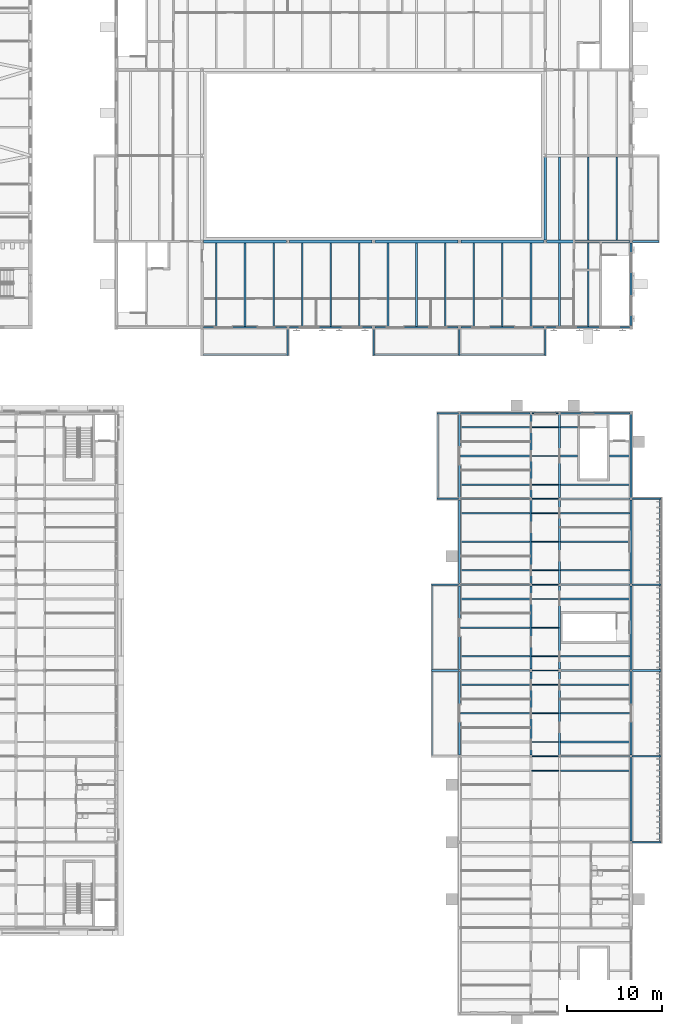
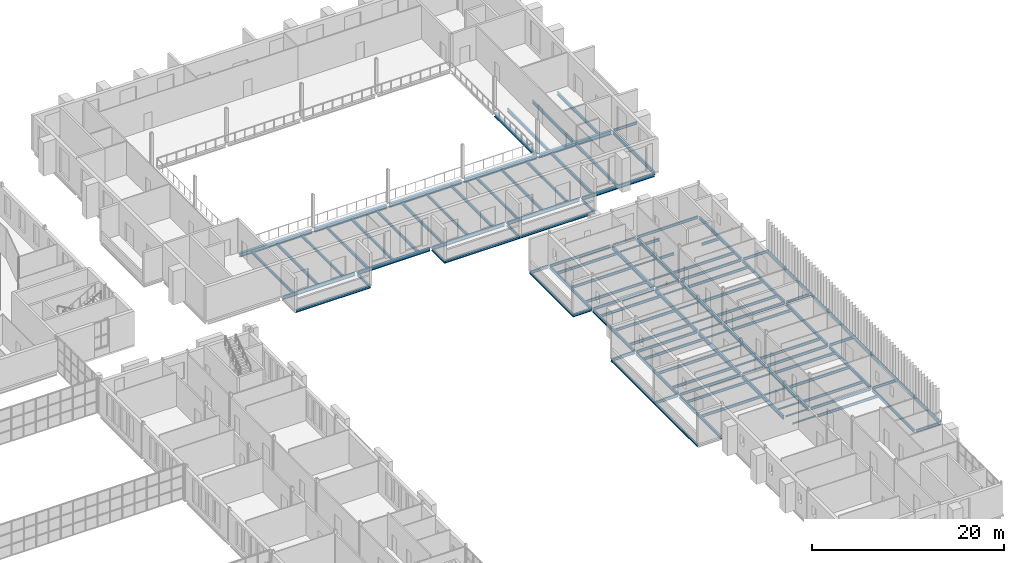
# One storey, part 57 of 131: 121 beams.
"""IFC4 building model written with IfcOpenShell, lengths in metres."""

from ifc_helpers import new_model, si_unit, direction, frame, origin, origin_2d, place, context, subcontext, project, spatial, i_section, extrude, material, material_profile, profile_set, type_object, element, save


model = new_model("IFC4")

# Units and contexts
model_context = context("Model", 3, precision=1e-05, world=origin(), true_north=direction((0.0, 1.0)))
body_context = subcontext(model_context, "Body", "Model", "MODEL_VIEW")
ifc_project = project(units=[si_unit("LENGTHUNIT", "METRE"), si_unit("AREAUNIT", "SQUARE_METRE"), si_unit("VOLUMEUNIT", "CUBIC_METRE"), si_unit("PLANEANGLEUNIT", "RADIAN"), si_unit("MASSUNIT", "GRAM", prefix="KILO")], contexts=[model_context])

# Site, building, storey
site_placement = place(None, origin())
site = spatial("IfcSite", under=ifc_project, at=site_placement, CompositionType="ELEMENT")
building_placement = place(site_placement, origin())
building = spatial("IfcBuilding", under=site, at=building_placement, Name="Golden Quay Civic Hall", CompositionType="ELEMENT")
storey_placement = place(building_placement, frame((0.0, 0.0, 9.89990234375)))
storey = spatial("IfcBuildingStorey", under=building, at=storey_placement, Name="L02", CompositionType="ELEMENT", Elevation=9.89990234375)

# Beams
ifc_material_1 = material(Name="Steel S355", Category="steel")
ifc_material_profile_1 = material_profile(ifc_material_1, i_section(OverallWidth=0.159912109375, OverallDepth=0.330078125, WebThickness=0.007568359375, FlangeThickness=0.011474609375, FilletRadius=0.01806640625, at=origin_2d()), Name="IPE 330")
ifc_profile_set_1 = profile_set([ifc_material_profile_1], Name="Steel S355")
beam_type_1 = type_object("IfcBeamType", Name="Loggia head beam IPE 330", PredefinedType="BEAM", material=ifc_profile_set_1)
for number, where, z_axis, x_axis, name in (
    (1, (174.070068359375, 9.080078125, -0.364990234375), (0.0, 1.0, 0.0), (-1.0, 0.0, 0.0), "Loggia head beam IPE 330 L02 1"),
    (2, (174.070068359375, 18.080078125, -0.364990234375), (0.0, 1.0, 0.0), (-1.0, 0.0, 0.0), "Loggia head beam IPE 330 L02 2"),
    (3, (174.070068359375, 27.080078125, -0.364990234375), (0.0, 1.0, 0.0), (-1.0, 0.0, 0.0), "Loggia head beam IPE 330 L02 3"),
    (4, (174.070068359375, 36.080078125, -0.364990234375), (0.0, 1.0, 0.0), (-1.0, 0.0, 0.0), "Loggia head beam IPE 330 L02 4"),
    (5, (150.1298828125, 18.080078125, -0.364990234375), (0.0, 1.0, 0.0), (-1.0, 0.0, 0.0), "Loggia head beam IPE 330 L02 8"),
    (6, (150.1298828125, 27.080078125, -0.364990234375), (0.0, 1.0, 0.0), (-1.0, 0.0, 0.0), "Loggia head beam IPE 330 L02 9"),
    (7, (150.72998046875, 45.080078125, -0.364990234375), (0.0, 1.0, 0.0), (-1.0, 0.0, 0.0), "Loggia head beam IPE 330 L02 10"),
    (8, (126.080078125, 60.1298828125, -0.364990234375), (1.0, 0.0, 0.0), (0.0, 1.0, 0.0), "Loggia head beam IPE 330 L02 11"),
    (9, (144.080078125, 60.1298828125, -0.364990234375), (1.0, 0.0, 0.0), (0.0, 1.0, 0.0), "Loggia head beam IPE 330 L02 12"),
    (10, (153.080078125, 60.1298828125, -0.364990234375), (1.0, 0.0, 0.0), (0.0, 1.0, 0.0), "Loggia head beam IPE 330 L02 13"),
):
    element("IfcBeam", number, at=place(storey_placement, frame(where, z_axis=z_axis, x_axis=x_axis)), inside=storey, type_object=beam_type_1, Name=name, PredefinedType="BEAM", context=body_context, shape_type="SweptSolid", body=[
        extrude(i_section(OverallWidth=0.159912109375, OverallDepth=0.330078125, WebThickness=0.007568359375, FlangeThickness=0.011474609375, FilletRadius=0.01806640625, at=origin_2d()), origin(), (0.0, 0.0, 1.0), 8.83984375),
    ])
ifc_material_2 = material(Name="Steel S355", Category="steel")
ifc_material_profile_2 = material_profile(ifc_material_2, i_section(OverallWidth=0.159912109375, OverallDepth=0.330078125, WebThickness=0.007568359375, FlangeThickness=0.011474609375, FilletRadius=0.01806640625, at=origin_2d()), Name="IPE 330")
ifc_profile_set_2 = profile_set([ifc_material_profile_2], Name="Steel S355")
beam_type_2 = type_object("IfcBeamType", Name="Loggia stub IPE 330", PredefinedType="BEAM", material=ifc_profile_set_2)
for number, where, z_axis, x_axis, name in (
    (11, (171.10009765625, 9.0, -0.364990234375), (1.0, 0.0, 0.0), (0.0, 1.0, 0.0), "Loggia stub IPE 330 L02 1"),
    (12, (171.10009765625, 18.0, -0.364990234375), (1.0, 0.0, 0.0), (0.0, 1.0, 0.0), "Loggia stub IPE 330 L02 2"),
    (13, (171.10009765625, 27.0, -0.364990234375), (1.0, 0.0, 0.0), (0.0, 1.0, 0.0), "Loggia stub IPE 330 L02 3"),
    (14, (171.10009765625, 36.0, -0.364990234375), (1.0, 0.0, 0.0), (0.0, 1.0, 0.0), "Loggia stub IPE 330 L02 4"),
    (15, (171.10009765625, 45.0, -0.364990234375), (1.0, 0.0, 0.0), (0.0, 1.0, 0.0), "Loggia stub IPE 330 L02 5"),
):
    element("IfcBeam", number, at=place(storey_placement, frame(where, z_axis=z_axis, x_axis=x_axis)), inside=storey, type_object=beam_type_2, Name=name, PredefinedType="BEAM", context=body_context, shape_type="SweptSolid", body=[
        extrude(i_section(OverallWidth=0.159912109375, OverallDepth=0.330078125, WebThickness=0.007568359375, FlangeThickness=0.011474609375, FilletRadius=0.01806640625, at=origin_2d()), origin(), (0.0, 0.0, 1.0), 3.0498046875),
    ])
for number, where, z_axis, x_axis, name in (
    (16, (152.89990234375, 27.0, -0.364990234375), (-1.0, 0.0, 0.0), (0.0, -1.0, 0.0), "Loggia stub IPE 330 L02 12"),
    (17, (152.89990234375, 36.0, -0.364990234375), (-1.0, 0.0, 0.0), (0.0, -1.0, 0.0), "Loggia stub IPE 330 L02 13"),
):
    element("IfcBeam", number, at=place(storey_placement, frame(where, z_axis=z_axis, x_axis=x_axis)), inside=storey, type_object=beam_type_2, Name=name, PredefinedType="BEAM", context=body_context, shape_type="SweptSolid", body=[
        extrude(i_section(OverallWidth=0.159912109375, OverallDepth=0.330078125, WebThickness=0.007568359375, FlangeThickness=0.011474609375, FilletRadius=0.01806640625, at=origin_2d()), origin(), (0.0, 0.0, 1.0), 2.849853515625),
    ])
for number, where, z_axis, x_axis, name in (
    (18, (152.89990234375, 45.0, -0.364990234375), (-1.0, 0.0, 0.0), (0.0, -1.0, 0.0), "Loggia stub IPE 330 L02 14"),
    (19, (152.89990234375, 54.0, -0.364990234375), (-1.0, 0.0, 0.0), (0.0, -1.0, 0.0), "Loggia stub IPE 330 L02 15"),
):
    element("IfcBeam", number, at=place(storey_placement, frame(where, z_axis=z_axis, x_axis=x_axis)), inside=storey, type_object=beam_type_2, Name=name, PredefinedType="BEAM", context=body_context, shape_type="SweptSolid", body=[
        extrude(i_section(OverallWidth=0.159912109375, OverallDepth=0.330078125, WebThickness=0.007568359375, FlangeThickness=0.011474609375, FilletRadius=0.01806640625, at=origin_2d()), origin(), (0.0, 0.0, 1.0), 2.25),
    ])
for number, where, z_axis, x_axis, name in (
    (20, (135.0, 62.820068359375, -0.364990234375), (0.0, -1.0, 0.0), (1.0, 0.0, 0.0), "Loggia stub IPE 330 L02 17"),
    (21, (144.0, 62.820068359375, -0.364990234375), (0.0, -1.0, 0.0), (1.0, 0.0, 0.0), "Loggia stub IPE 330 L02 18"),
    (22, (153.0, 62.820068359375, -0.364990234375), (0.0, -1.0, 0.0), (1.0, 0.0, 0.0), "Loggia stub IPE 330 L02 19"),
    (23, (162.0, 62.820068359375, -0.364990234375), (0.0, -1.0, 0.0), (1.0, 0.0, 0.0), "Loggia stub IPE 330 L02 20"),
):
    element("IfcBeam", number, at=place(storey_placement, frame(where, z_axis=z_axis, x_axis=x_axis)), inside=storey, type_object=beam_type_2, Name=name, PredefinedType="BEAM", context=body_context, shape_type="SweptSolid", body=[
        extrude(i_section(OverallWidth=0.159912109375, OverallDepth=0.330078125, WebThickness=0.007568359375, FlangeThickness=0.011474609375, FilletRadius=0.01806640625, at=origin_2d()), origin(), (0.0, 0.0, 1.0), 2.77001953125),
    ])
beam_1_placement = place(storey_placement, frame((171.14990234375, 72.0, -0.364990234375), z_axis=(1.0, 0.0, 0.0), x_axis=(0.0, 1.0, 0.0)))
element("IfcBeam", 24, at=beam_1_placement, inside=storey, type_object=beam_type_2, Name="Loggia stub IPE 330 L02 21", PredefinedType="BEAM", context=body_context, shape_type="SweptSolid", body=[
    extrude(i_section(OverallWidth=0.159912109375, OverallDepth=0.330078125, WebThickness=0.007568359375, FlangeThickness=0.011474609375, FilletRadius=0.01806640625, at=origin_2d()), origin(), (0.0, 0.0, 1.0), 2.800048828125),
])
ifc_material_3 = material(Name="Steel S355", Category="steel")
ifc_material_profile_3 = material_profile(ifc_material_3, i_section(OverallWidth=0.10009765625, OverallDepth=0.199951171875, WebThickness=0.005615234375, FlangeThickness=0.008544921875, FilletRadius=0.011962890625, at=origin_2d()), Name="IPE 200")
ifc_profile_set_3 = profile_set([ifc_material_profile_3], Name="Steel S355")
beam_type_3 = type_object("IfcBeamType", Name="Steel beam IPE 200", PredefinedType="BEAM", material=ifc_profile_set_3)
for number, where, z_axis, x_axis, name in (
    (25, (160.639892578125, 18.0, -0.2998046875), (1.0, 0.0, 0.0), (0.0, 1.0, 0.0), "Beam S18-160.5"),
    (26, (160.639892578125, 27.0, -0.2998046875), (1.0, 0.0, 0.0), (0.0, 1.0, 0.0), "Beam S27-160.5"),
    (27, (160.639892578125, 36.0, -0.2998046875), (1.0, 0.0, 0.0), (0.0, 1.0, 0.0), "Beam S36-160.5"),
    (28, (160.639892578125, 45.0, -0.2998046875), (1.0, 0.0, 0.0), (0.0, 1.0, 0.0), "Beam S45-160.5"),
):
    element("IfcBeam", number, at=place(storey_placement, frame(where, z_axis=z_axis, x_axis=x_axis)), inside=storey, type_object=beam_type_3, Name=name, PredefinedType="BEAM", context=body_context, shape_type="SweptSolid", body=[
        extrude(i_section(OverallWidth=0.10009765625, OverallDepth=0.199951171875, WebThickness=0.005615234375, FlangeThickness=0.008544921875, FilletRadius=0.011962890625, at=origin_2d()), origin(), (0.0, 0.0, 1.0), 2.72021484375),
    ])
beam_2_placement = place(storey_placement, frame((160.6201171875, 54.0, -0.2998046875), z_axis=(1.0, 0.0, 0.0), x_axis=(0.0, 1.0, 0.0)))
element("IfcBeam", 29, at=beam_2_placement, inside=storey, type_object=beam_type_3, Name="Beam S54-160.5", PredefinedType="BEAM", context=body_context, shape_type="SweptSolid", body=[
    extrude(i_section(OverallWidth=0.10009765625, OverallDepth=0.199951171875, WebThickness=0.005615234375, FlangeThickness=0.008544921875, FilletRadius=0.011962890625, at=origin_2d()), origin(), (0.0, 0.0, 1.0), 2.759765625),
])
ifc_material_4 = material(Name="Steel S355", Category="steel")
ifc_material_profile_4 = material_profile(ifc_material_4, i_section(OverallWidth=0.159912109375, OverallDepth=0.330078125, WebThickness=0.007568359375, FlangeThickness=0.011474609375, FilletRadius=0.01806640625, at=origin_2d()), Name="IPE 330")
ifc_profile_set_4 = profile_set([ifc_material_profile_4], Name="Steel S355")
beam_type_4 = type_object("IfcBeamType", Name="Steel beam IPE 330", PredefinedType="BEAM", material=ifc_profile_set_4)
for number, where, z_axis, x_axis, name in (
    (30, (163.639892578125, 18.0, -0.364990234375), (1.0, 0.0, 0.0), (0.0, 1.0, 0.0), "Beam S18-163.5"),
    (31, (153.1201171875, 27.0, -0.364990234375), (1.0, 0.0, 0.0), (0.0, 1.0, 0.0), "Beam S27-153"),
    (32, (163.639892578125, 27.0, -0.364990234375), (1.0, 0.0, 0.0), (0.0, 1.0, 0.0), "Beam S27-163.5"),
    (33, (153.1201171875, 36.0, -0.364990234375), (1.0, 0.0, 0.0), (0.0, 1.0, 0.0), "Beam S36-153"),
    (34, (163.639892578125, 36.0, -0.364990234375), (1.0, 0.0, 0.0), (0.0, 1.0, 0.0), "Beam S36-163.5"),
    (35, (153.1201171875, 45.0, -0.364990234375), (1.0, 0.0, 0.0), (0.0, 1.0, 0.0), "Beam S45-153"),
    (36, (163.639892578125, 45.0, -0.364990234375), (1.0, 0.0, 0.0), (0.0, 1.0, 0.0), "Beam S45-163.5"),
):
    element("IfcBeam", number, at=place(storey_placement, frame(where, z_axis=z_axis, x_axis=x_axis)), inside=storey, type_object=beam_type_4, Name=name, PredefinedType="BEAM", context=body_context, shape_type="SweptSolid", body=[
        extrude(i_section(OverallWidth=0.159912109375, OverallDepth=0.330078125, WebThickness=0.007568359375, FlangeThickness=0.011474609375, FilletRadius=0.01806640625, at=origin_2d()), origin(), (0.0, 0.0, 1.0), 7.239990234375),
    ])
for number, where, z_axis, x_axis, name in (
    (37, (153.1201171875, 54.0, -0.364990234375), (1.0, 0.0, 0.0), (0.0, 1.0, 0.0), "Beam S54-153"),
    (38, (163.6201171875, 54.0, -0.364990234375), (1.0, 0.0, 0.0), (0.0, 1.0, 0.0), "Beam S54-163.5"),
):
    element("IfcBeam", number, at=place(storey_placement, frame(where, z_axis=z_axis, x_axis=x_axis)), inside=storey, type_object=beam_type_4, Name=name, PredefinedType="BEAM", context=body_context, shape_type="SweptSolid", body=[
        extrude(i_section(OverallWidth=0.159912109375, OverallDepth=0.330078125, WebThickness=0.007568359375, FlangeThickness=0.011474609375, FilletRadius=0.01806640625, at=origin_2d()), origin(), (0.0, 0.0, 1.0), 7.259765625),
    ])
ifc_material_5 = material(Name="Steel S355", Category="steel")
ifc_material_profile_5 = material_profile(ifc_material_5, i_section(OverallWidth=0.179931640625, OverallDepth=0.39990234375, WebThickness=0.008544921875, FlangeThickness=0.013427734375, FilletRadius=0.02099609375, at=origin_2d()), Name="IPE 400")
ifc_profile_set_5 = profile_set([ifc_material_profile_5], Name="Steel S355")
beam_type_5 = type_object("IfcBeamType", Name="Steel beam IPE 400", PredefinedType="BEAM", material=ifc_profile_set_5)
for number, where, z_axis, x_axis, name in (
    (39, (153.0, 18.114990234375, -0.39990234375), (0.0, 1.0, 0.0), (-1.0, 0.0, 0.0), "Beam L153-18"),
    (40, (153.0, 27.114990234375, -0.39990234375), (0.0, 1.0, 0.0), (-1.0, 0.0, 0.0), "Beam L153-27"),
    (41, (153.0, 36.114990234375, -0.39990234375), (0.0, 1.0, 0.0), (-1.0, 0.0, 0.0), "Beam L153-36"),
    (42, (153.0, 45.114990234375, -0.39990234375), (0.0, 1.0, 0.0), (-1.0, 0.0, 0.0), "Beam L153-45"),
    (43, (171.0, 9.114990234375, -0.39990234375), (0.0, 1.0, 0.0), (-1.0, 0.0, 0.0), "Beam L171-9"),
    (44, (171.0, 18.114990234375, -0.39990234375), (0.0, 1.0, 0.0), (-1.0, 0.0, 0.0), "Beam L171-18"),
    (45, (171.0, 27.114990234375, -0.39990234375), (0.0, 1.0, 0.0), (-1.0, 0.0, 0.0), "Beam L171-27"),
    (46, (171.0, 36.114990234375, -0.39990234375), (0.0, 1.0, 0.0), (-1.0, 0.0, 0.0), "Beam L171-36"),
    (47, (171.0, 45.114990234375, -0.39990234375), (0.0, 1.0, 0.0), (-1.0, 0.0, 0.0), "Beam L171-45"),
):
    element("IfcBeam", number, at=place(storey_placement, frame(where, z_axis=z_axis, x_axis=x_axis)), inside=storey, type_object=beam_type_5, Name=name, PredefinedType="BEAM", context=body_context, shape_type="SweptSolid", body=[
        extrude(i_section(OverallWidth=0.179931640625, OverallDepth=0.39990234375, WebThickness=0.008544921875, FlangeThickness=0.013427734375, FilletRadius=0.02099609375, at=origin_2d()), origin(), (0.0, 0.0, 1.0), 8.77001953125),
    ])
ifc_material_6 = material(Name="Steel S355", Category="steel")
ifc_material_profile_6 = material_profile(ifc_material_6, i_section(OverallWidth=0.199951171875, OverallDepth=0.5, WebThickness=0.01025390625, FlangeThickness=0.01611328125, FilletRadius=0.02099609375, at=origin_2d()), Name="IPE 500")
ifc_profile_set_6 = profile_set([ifc_material_profile_6], Name="Steel S355")
beam_type_6 = type_object("IfcBeamType", Name="Steel beam IPE 500", PredefinedType="BEAM", material=ifc_profile_set_6)
for number, where, z_axis, x_axis, name in (
    (48, (160.5, 18.135009765625, -0.449951171875), (0.0, 1.0, 0.0), (-1.0, 0.0, 0.0), "Beam L160.5-18"),
    (49, (160.5, 27.135009765625, -0.449951171875), (0.0, 1.0, 0.0), (-1.0, 0.0, 0.0), "Beam L160.5-27"),
    (50, (160.5, 36.135009765625, -0.449951171875), (0.0, 1.0, 0.0), (-1.0, 0.0, 0.0), "Beam L160.5-36"),
):
    element("IfcBeam", number, at=place(storey_placement, frame(where, z_axis=z_axis, x_axis=x_axis)), inside=storey, type_object=beam_type_6, Name=name, PredefinedType="BEAM", context=body_context, shape_type="SweptSolid", body=[
        extrude(i_section(OverallWidth=0.199951171875, OverallDepth=0.5, WebThickness=0.01025390625, FlangeThickness=0.01611328125, FilletRadius=0.02099609375, at=origin_2d()), origin(), (0.0, 0.0, 1.0), 8.72998046875),
    ])
beam_3_placement = place(storey_placement, frame((160.5, 45.135009765625, -0.449951171875), z_axis=(0.0, 1.0, 0.0), x_axis=(-1.0, 0.0, 0.0)))
element("IfcBeam", 51, at=beam_3_placement, inside=storey, type_object=beam_type_6, Name="Beam L160.5-45", PredefinedType="BEAM", context=body_context, shape_type="SweptSolid", body=[
    extrude(i_section(OverallWidth=0.199951171875, OverallDepth=0.5, WebThickness=0.01025390625, FlangeThickness=0.01611328125, FilletRadius=0.02099609375, at=origin_2d()), origin(), (0.0, 0.0, 1.0), 8.75),
])
for number, where, z_axis, x_axis, name in (
    (52, (163.5, 18.135009765625, -0.449951171875), (0.0, 1.0, 0.0), (-1.0, 0.0, 0.0), "Beam L163.5-18"),
    (53, (163.5, 27.135009765625, -0.449951171875), (0.0, 1.0, 0.0), (-1.0, 0.0, 0.0), "Beam L163.5-27"),
    (54, (163.5, 36.135009765625, -0.449951171875), (0.0, 1.0, 0.0), (-1.0, 0.0, 0.0), "Beam L163.5-36"),
):
    element("IfcBeam", number, at=place(storey_placement, frame(where, z_axis=z_axis, x_axis=x_axis)), inside=storey, type_object=beam_type_6, Name=name, PredefinedType="BEAM", context=body_context, shape_type="SweptSolid", body=[
        extrude(i_section(OverallWidth=0.199951171875, OverallDepth=0.5, WebThickness=0.01025390625, FlangeThickness=0.01611328125, FilletRadius=0.02099609375, at=origin_2d()), origin(), (0.0, 0.0, 1.0), 8.72998046875),
    ])
beam_4_placement = place(storey_placement, frame((163.5, 45.135009765625, -0.449951171875), z_axis=(0.0, 1.0, 0.0), x_axis=(-1.0, 0.0, 0.0)))
element("IfcBeam", 55, at=beam_4_placement, inside=storey, type_object=beam_type_6, Name="Beam L163.5-45", PredefinedType="BEAM", context=body_context, shape_type="SweptSolid", body=[
    extrude(i_section(OverallWidth=0.199951171875, OverallDepth=0.5, WebThickness=0.01025390625, FlangeThickness=0.01611328125, FilletRadius=0.02099609375, at=origin_2d()), origin(), (0.0, 0.0, 1.0), 8.75),
])
ifc_material_7 = material(Name="Steel S355", Category="steel")
ifc_material_profile_7 = material_profile(ifc_material_7, i_section(OverallWidth=0.18994140625, OverallDepth=0.449951171875, WebThickness=0.009521484375, FlangeThickness=0.0146484375, FilletRadius=0.02099609375, at=origin_2d()), Name="IPE 450")
ifc_profile_set_7 = profile_set([ifc_material_profile_7], Name="Steel S355")
beam_type_7 = type_object("IfcBeamType", Name="Steel edge beam IPE 450", PredefinedType="BEAM", material=ifc_profile_set_7)
for number, where, z_axis, x_axis, name in (
    (56, (126.14990234375, 63.0, -0.4248046875), (1.0, 0.0, 0.0), (0.0, 1.0, 0.0), "L02 edge beam 0-2"),
    (57, (135.14990234375, 63.0, -0.4248046875), (1.0, 0.0, 0.0), (0.0, 1.0, 0.0), "L02 edge beam 0-3"),
    (58, (144.14990234375, 63.0, -0.4248046875), (1.0, 0.0, 0.0), (0.0, 1.0, 0.0), "L02 edge beam 0-4"),
    (59, (153.14990234375, 63.0, -0.4248046875), (1.0, 0.0, 0.0), (0.0, 1.0, 0.0), "L02 edge beam 0-5"),
    (60, (162.14990234375, 63.0, -0.4248046875), (1.0, 0.0, 0.0), (0.0, 1.0, 0.0), "L02 edge beam 0-6"),
):
    element("IfcBeam", number, at=place(storey_placement, frame(where, z_axis=z_axis, x_axis=x_axis)), inside=storey, type_object=beam_type_7, Name=name, PredefinedType="BEAM", context=body_context, shape_type="SweptSolid", body=[
        extrude(i_section(OverallWidth=0.18994140625, OverallDepth=0.449951171875, WebThickness=0.009521484375, FlangeThickness=0.0146484375, FilletRadius=0.02099609375, at=origin_2d()), origin(), (0.0, 0.0, 1.0), 8.7001953125),
    ])
beam_5_placement = place(storey_placement, frame((171.0, 63.179931640625, -0.4248046875), z_axis=(0.0, 1.0, 0.0), x_axis=(-1.0, 0.0, 0.0)))
element("IfcBeam", 61, at=beam_5_placement, inside=storey, type_object=beam_type_7, Name="L02 edge beam u54-1", PredefinedType="BEAM", context=body_context, shape_type="SweptSolid", body=[
    extrude(i_section(OverallWidth=0.18994140625, OverallDepth=0.449951171875, WebThickness=0.009521484375, FlangeThickness=0.0146484375, FilletRadius=0.02099609375, at=origin_2d()), origin(), (0.0, 0.0, 1.0), 8.670166015625),
])
ifc_material_8 = material(Name="Steel S355", Category="steel")
ifc_material_profile_8 = material_profile(ifc_material_8, i_section(OverallWidth=0.300048828125, OverallDepth=0.489990234375, WebThickness=0.011962890625, FlangeThickness=0.02294921875, FilletRadius=0.027099609375, at=origin_2d()), Name="HEA 500")
ifc_profile_set_8 = profile_set([ifc_material_profile_8], Name="Steel S355")
beam_type_8 = type_object("IfcBeamType", Name="Steel girder HEA 500", PredefinedType="BEAM", material=ifc_profile_set_8)
for number, where, z_axis, x_axis, name in (
    (62, (126.14990234375, 72.0, -0.44482421875), (1.0, 0.0, 0.0), (0.0, 1.0, 0.0), "L02 girder 9-2"),
    (63, (135.14990234375, 72.0, -0.44482421875), (1.0, 0.0, 0.0), (0.0, 1.0, 0.0), "L02 girder 9-3"),
    (64, (144.14990234375, 72.0, -0.44482421875), (1.0, 0.0, 0.0), (0.0, 1.0, 0.0), "L02 girder 9-4"),
    (65, (153.14990234375, 72.0, -0.44482421875), (1.0, 0.0, 0.0), (0.0, 1.0, 0.0), "L02 girder 9-5"),
    (66, (162.0, 72.14990234375, -0.44482421875), (0.0, 1.0, 0.0), (-1.0, 0.0, 0.0), "L02 girder u45-2"),
):
    element("IfcBeam", number, at=place(storey_placement, frame(where, z_axis=z_axis, x_axis=x_axis)), inside=storey, type_object=beam_type_8, Name=name, PredefinedType="BEAM", context=body_context, shape_type="SweptSolid", body=[
        extrude(i_section(OverallWidth=0.300048828125, OverallDepth=0.489990234375, WebThickness=0.011962890625, FlangeThickness=0.02294921875, FilletRadius=0.027099609375, at=origin_2d()), origin(), (0.0, 0.0, 1.0), 8.7001953125),
    ])
ifc_material_9 = material(Name="Steel S355", Category="steel")
ifc_material_profile_9 = material_profile(ifc_material_9, i_section(OverallWidth=0.300048828125, OverallDepth=0.5, WebThickness=0.014404296875, FlangeThickness=0.028076171875, FilletRadius=0.027099609375, at=origin_2d()), Name="HEB 500")
ifc_profile_set_9 = profile_set([ifc_material_profile_9], Name="Steel S355")
beam_type_9 = type_object("IfcBeamType", Name="Steel girder HEB 500", PredefinedType="BEAM", material=ifc_profile_set_9)
beam_6_placement = place(storey_placement, frame((162.14990234375, 72.0, -0.449951171875), z_axis=(1.0, 0.0, 0.0), x_axis=(0.0, 1.0, 0.0)))
element("IfcBeam", 67, at=beam_6_placement, inside=storey, type_object=beam_type_9, Name="L02 girder 9-6", PredefinedType="BEAM", context=body_context, shape_type="SweptSolid", body=[
    extrude(i_section(OverallWidth=0.300048828125, OverallDepth=0.5, WebThickness=0.014404296875, FlangeThickness=0.028076171875, FilletRadius=0.027099609375, at=origin_2d()), origin(), (0.0, 0.0, 1.0), 8.7001953125),
])
ifc_material_10 = material(Name="Steel S355", Category="steel")
ifc_material_profile_10 = material_profile(ifc_material_10, i_section(OverallWidth=0.10009765625, OverallDepth=0.199951171875, WebThickness=0.005615234375, FlangeThickness=0.008544921875, FilletRadius=0.011962890625, at=origin_2d()), Name="IPE 200")
ifc_profile_set_10 = profile_set([ifc_material_profile_10], Name="Steel S355")
beam_type_10 = type_object("IfcBeamType", Name="Steel joist IPE 200", PredefinedType="JOIST", material=ifc_profile_set_10)
for number, where, z_axis, x_axis, name in (
    (68, (160.60009765625, 16.5, -0.2998046875), (1.0, 0.0, 0.0), (0.0, 1.0, 0.0), "Joist J16.5-160.5"),
    (69, (160.60009765625, 19.5, -0.2998046875), (1.0, 0.0, 0.0), (0.0, 1.0, 0.0), "Joist J19.5-160.5"),
    (70, (160.60009765625, 22.5, -0.2998046875), (1.0, 0.0, 0.0), (0.0, 1.0, 0.0), "Joist J22.5-160.5"),
    (71, (160.60009765625, 25.5, -0.2998046875), (1.0, 0.0, 0.0), (0.0, 1.0, 0.0), "Joist J25.5-160.5"),
    (72, (160.60009765625, 28.5, -0.2998046875), (1.0, 0.0, 0.0), (0.0, 1.0, 0.0), "Joist J28.5-160.5"),
    (73, (160.60009765625, 31.5, -0.2998046875), (1.0, 0.0, 0.0), (0.0, 1.0, 0.0), "Joist J31.5-160.5"),
    (74, (160.60009765625, 34.5, -0.2998046875), (1.0, 0.0, 0.0), (0.0, 1.0, 0.0), "Joist J34.5-160.5"),
    (75, (160.60009765625, 37.5, -0.2998046875), (1.0, 0.0, 0.0), (0.0, 1.0, 0.0), "Joist J37.5-160.5"),
    (76, (160.60009765625, 40.5, -0.2998046875), (1.0, 0.0, 0.0), (0.0, 1.0, 0.0), "Joist J40.5-160.5"),
    (77, (160.60009765625, 43.5, -0.2998046875), (1.0, 0.0, 0.0), (0.0, 1.0, 0.0), "Joist J43.5-160.5"),
    (78, (160.60009765625, 46.5, -0.2998046875), (1.0, 0.0, 0.0), (0.0, 1.0, 0.0), "Joist J46.5-160.5"),
    (79, (160.60009765625, 49.5, -0.2998046875), (1.0, 0.0, 0.0), (0.0, 1.0, 0.0), "Joist J49.5-160.5"),
    (80, (160.60009765625, 52.5, -0.2998046875), (1.0, 0.0, 0.0), (0.0, 1.0, 0.0), "Joist J52.5-160.5"),
):
    element("IfcBeam", number, at=place(storey_placement, frame(where, z_axis=z_axis, x_axis=x_axis)), inside=storey, type_object=beam_type_10, Name=name, PredefinedType="JOIST", context=body_context, shape_type="SweptSolid", body=[
        extrude(i_section(OverallWidth=0.10009765625, OverallDepth=0.199951171875, WebThickness=0.005615234375, FlangeThickness=0.008544921875, FilletRadius=0.011962890625, at=origin_2d()), origin(), (0.0, 0.0, 1.0), 2.7998046875),
    ])
ifc_material_11 = material(Name="Steel S355", Category="steel")
ifc_material_profile_11 = material_profile(ifc_material_11, i_section(OverallWidth=0.159912109375, OverallDepth=0.330078125, WebThickness=0.007568359375, FlangeThickness=0.011474609375, FilletRadius=0.01806640625, at=origin_2d()), Name="IPE 330")
ifc_profile_set_11 = profile_set([ifc_material_profile_11], Name="Steel S355")
beam_type_11 = type_object("IfcBeamType", Name="Steel joist IPE 330", PredefinedType="JOIST", material=ifc_profile_set_11)
for number, where, z_axis, x_axis, name in (
    (81, (163.60009765625, 16.5, -0.364990234375), (1.0, 0.0, 0.0), (0.0, 1.0, 0.0), "Joist J16.5-163.5"),
    (82, (163.60009765625, 19.5, -0.364990234375), (1.0, 0.0, 0.0), (0.0, 1.0, 0.0), "Joist J19.5-163.5"),
    (83, (153.090087890625, 22.5, -0.364990234375), (1.0, 0.0, 0.0), (0.0, 1.0, 0.0), "Joist J22.5-153"),
    (84, (163.60009765625, 22.5, -0.364990234375), (1.0, 0.0, 0.0), (0.0, 1.0, 0.0), "Joist J22.5-163.5"),
    (85, (153.090087890625, 25.5, -0.364990234375), (1.0, 0.0, 0.0), (0.0, 1.0, 0.0), "Joist J25.5-153"),
    (86, (163.60009765625, 25.5, -0.364990234375), (1.0, 0.0, 0.0), (0.0, 1.0, 0.0), "Joist J25.5-163.5"),
    (87, (153.090087890625, 28.5, -0.364990234375), (1.0, 0.0, 0.0), (0.0, 1.0, 0.0), "Joist J28.5-153"),
    (88, (163.60009765625, 28.5, -0.364990234375), (1.0, 0.0, 0.0), (0.0, 1.0, 0.0), "Joist J28.5-163.5"),
    (89, (153.090087890625, 31.5, -0.364990234375), (1.0, 0.0, 0.0), (0.0, 1.0, 0.0), "Joist J31.5-153"),
    (90, (153.090087890625, 34.5, -0.364990234375), (1.0, 0.0, 0.0), (0.0, 1.0, 0.0), "Joist J34.5-153"),
    (91, (163.60009765625, 34.5, -0.364990234375), (1.0, 0.0, 0.0), (0.0, 1.0, 0.0), "Joist J34.5-163.5"),
    (92, (153.090087890625, 37.5, -0.364990234375), (1.0, 0.0, 0.0), (0.0, 1.0, 0.0), "Joist J37.5-153"),
    (93, (163.60009765625, 37.5, -0.364990234375), (1.0, 0.0, 0.0), (0.0, 1.0, 0.0), "Joist J37.5-163.5"),
    (94, (153.090087890625, 40.5, -0.364990234375), (1.0, 0.0, 0.0), (0.0, 1.0, 0.0), "Joist J40.5-153"),
    (95, (163.60009765625, 40.5, -0.364990234375), (1.0, 0.0, 0.0), (0.0, 1.0, 0.0), "Joist J40.5-163.5"),
    (96, (153.090087890625, 43.5, -0.364990234375), (1.0, 0.0, 0.0), (0.0, 1.0, 0.0), "Joist J43.5-153"),
    (97, (163.60009765625, 43.5, -0.364990234375), (1.0, 0.0, 0.0), (0.0, 1.0, 0.0), "Joist J43.5-163.5"),
    (98, (153.090087890625, 46.5, -0.364990234375), (1.0, 0.0, 0.0), (0.0, 1.0, 0.0), "Joist J46.5-153"),
    (99, (163.60009765625, 46.5, -0.364990234375), (1.0, 0.0, 0.0), (0.0, 1.0, 0.0), "Joist J46.5-163.5"),
    (100, (153.090087890625, 49.5, -0.364990234375), (1.0, 0.0, 0.0), (0.0, 1.0, 0.0), "Joist J49.5-153"),
):
    element("IfcBeam", number, at=place(storey_placement, frame(where, z_axis=z_axis, x_axis=x_axis)), inside=storey, type_object=beam_type_11, Name=name, PredefinedType="JOIST", context=body_context, shape_type="SweptSolid", body=[
        extrude(i_section(OverallWidth=0.159912109375, OverallDepth=0.330078125, WebThickness=0.007568359375, FlangeThickness=0.011474609375, FilletRadius=0.01806640625, at=origin_2d()), origin(), (0.0, 0.0, 1.0), 7.309814453125),
    ])
beam_7_placement = place(storey_placement, frame((163.60009765625, 49.5, -0.364990234375), z_axis=(1.0, 0.0, 0.0), x_axis=(0.0, 1.0, 0.0)))
element("IfcBeam", 101, at=beam_7_placement, inside=storey, type_object=beam_type_11, Name="Joist J49.5-163.5-0", PredefinedType="JOIST", context=body_context, shape_type="SweptSolid", body=[
    extrude(i_section(OverallWidth=0.159912109375, OverallDepth=0.330078125, WebThickness=0.007568359375, FlangeThickness=0.011474609375, FilletRadius=0.01806640625, at=origin_2d()), origin(), (0.0, 0.0, 1.0), 1.7998046875),
])
beam_8_placement = place(storey_placement, frame((168.75, 49.5, -0.364990234375), z_axis=(1.0, 0.0, 0.0), x_axis=(0.0, 1.0, 0.0)))
element("IfcBeam", 102, at=beam_8_placement, inside=storey, type_object=beam_type_11, Name="Joist J49.5-163.5-1", PredefinedType="JOIST", context=body_context, shape_type="SweptSolid", body=[
    extrude(i_section(OverallWidth=0.159912109375, OverallDepth=0.330078125, WebThickness=0.007568359375, FlangeThickness=0.011474609375, FilletRadius=0.01806640625, at=origin_2d()), origin(), (0.0, 0.0, 1.0), 2.159912109375),
])
beam_9_placement = place(storey_placement, frame((153.090087890625, 52.5, -0.364990234375), z_axis=(1.0, 0.0, 0.0), x_axis=(0.0, 1.0, 0.0)))
element("IfcBeam", 103, at=beam_9_placement, inside=storey, type_object=beam_type_11, Name="Joist J52.5-153", PredefinedType="JOIST", context=body_context, shape_type="SweptSolid", body=[
    extrude(i_section(OverallWidth=0.159912109375, OverallDepth=0.330078125, WebThickness=0.007568359375, FlangeThickness=0.011474609375, FilletRadius=0.01806640625, at=origin_2d()), origin(), (0.0, 0.0, 1.0), 7.309814453125),
])
beam_10_placement = place(storey_placement, frame((163.60009765625, 52.5, -0.364990234375), z_axis=(1.0, 0.0, 0.0), x_axis=(0.0, 1.0, 0.0)))
element("IfcBeam", 104, at=beam_10_placement, inside=storey, type_object=beam_type_11, Name="Joist J52.5-163.5-0", PredefinedType="JOIST", context=body_context, shape_type="SweptSolid", body=[
    extrude(i_section(OverallWidth=0.159912109375, OverallDepth=0.330078125, WebThickness=0.007568359375, FlangeThickness=0.011474609375, FilletRadius=0.01806640625, at=origin_2d()), origin(), (0.0, 0.0, 1.0), 1.7998046875),
])
ifc_material_12 = material(Name="Steel S355", Category="steel")
ifc_material_profile_12 = material_profile(ifc_material_12, i_section(OverallWidth=0.169921875, OverallDepth=0.360107421875, WebThickness=0.008056640625, FlangeThickness=0.0126953125, FilletRadius=0.01806640625, at=origin_2d()), Name="IPE 360")
ifc_profile_set_12 = profile_set([ifc_material_profile_12], Name="Steel S355")
beam_type_12 = type_object("IfcBeamType", Name="Steel joist IPE 360", PredefinedType="JOIST", material=ifc_profile_set_12)
for number, where, z_axis, x_axis, name in (
    (105, (127.5, 63.094970703125, -0.3798828125), (0.0, 1.0, 0.0), (-1.0, 0.0, 0.0), "L02 joist 2.1.1"),
    (106, (130.5, 63.094970703125, -0.3798828125), (0.0, 1.0, 0.0), (-1.0, 0.0, 0.0), "L02 joist 2.1.2"),
    (107, (133.5, 63.094970703125, -0.3798828125), (0.0, 1.0, 0.0), (-1.0, 0.0, 0.0), "L02 joist 2.1.3"),
    (108, (136.5, 63.094970703125, -0.3798828125), (0.0, 1.0, 0.0), (-1.0, 0.0, 0.0), "L02 joist 3.1.1"),
    (109, (139.5, 63.094970703125, -0.3798828125), (0.0, 1.0, 0.0), (-1.0, 0.0, 0.0), "L02 joist 3.1.2"),
    (110, (142.5, 63.094970703125, -0.3798828125), (0.0, 1.0, 0.0), (-1.0, 0.0, 0.0), "L02 joist 3.1.3"),
    (111, (145.5, 63.094970703125, -0.3798828125), (0.0, 1.0, 0.0), (-1.0, 0.0, 0.0), "L02 joist 4.1.1"),
    (112, (148.5, 63.094970703125, -0.3798828125), (0.0, 1.0, 0.0), (-1.0, 0.0, 0.0), "L02 joist 4.1.2"),
    (113, (151.5, 63.094970703125, -0.3798828125), (0.0, 1.0, 0.0), (-1.0, 0.0, 0.0), "L02 joist 4.1.3"),
    (114, (154.5, 63.094970703125, -0.3798828125), (0.0, 1.0, 0.0), (-1.0, 0.0, 0.0), "L02 joist 5.1.1"),
    (115, (157.5, 63.094970703125, -0.3798828125), (0.0, 1.0, 0.0), (-1.0, 0.0, 0.0), "L02 joist 5.1.2"),
    (116, (160.5, 63.094970703125, -0.3798828125), (0.0, 1.0, 0.0), (-1.0, 0.0, 0.0), "L02 joist 5.1.3"),
):
    element("IfcBeam", number, at=place(storey_placement, frame(where, z_axis=z_axis, x_axis=x_axis)), inside=storey, type_object=beam_type_12, Name=name, PredefinedType="JOIST", context=body_context, shape_type="SweptSolid", body=[
        extrude(i_section(OverallWidth=0.169921875, OverallDepth=0.360107421875, WebThickness=0.008056640625, FlangeThickness=0.0126953125, FilletRadius=0.01806640625, at=origin_2d()), origin(), (0.0, 0.0, 1.0), 8.755126953125),
    ])
ifc_material_13 = material(Name="Steel S355", Category="steel")
ifc_material_profile_13 = material_profile(ifc_material_13, i_section(OverallWidth=0.179931640625, OverallDepth=0.39990234375, WebThickness=0.008544921875, FlangeThickness=0.013427734375, FilletRadius=0.02099609375, at=origin_2d()), Name="IPE 400")
ifc_profile_set_13 = profile_set([ifc_material_profile_13], Name="Steel S355")
beam_type_13 = type_object("IfcBeamType", Name="Steel joist IPE 400", PredefinedType="JOIST", material=ifc_profile_set_13)
for number, where, z_axis, x_axis, name in (
    (117, (163.5, 63.094970703125, -0.39990234375), (0.0, 1.0, 0.0), (-1.0, 0.0, 0.0), "L02 joist 6.1.1"),
    (118, (166.5, 63.094970703125, -0.39990234375), (0.0, 1.0, 0.0), (-1.0, 0.0, 0.0), "L02 joist 6.1.2"),
):
    element("IfcBeam", number, at=place(storey_placement, frame(where, z_axis=z_axis, x_axis=x_axis)), inside=storey, type_object=beam_type_13, Name=name, PredefinedType="JOIST", context=body_context, shape_type="SweptSolid", body=[
        extrude(i_section(OverallWidth=0.179931640625, OverallDepth=0.39990234375, WebThickness=0.008544921875, FlangeThickness=0.013427734375, FilletRadius=0.02099609375, at=origin_2d()), origin(), (0.0, 0.0, 1.0), 8.755126953125),
    ])
for number, where, z_axis, x_axis, name in (
    (119, (163.5, 72.14990234375, -0.39990234375), (0.0, 1.0, 0.0), (-1.0, 0.0, 0.0), "L02 joist 6.2.1"),
    (120, (166.5, 72.14990234375, -0.39990234375), (0.0, 1.0, 0.0), (-1.0, 0.0, 0.0), "L02 joist 6.2.2"),
    (121, (169.5, 72.14990234375, -0.39990234375), (0.0, 1.0, 0.0), (-1.0, 0.0, 0.0), "L02 joist 6.2.3"),
):
    element("IfcBeam", number, at=place(storey_placement, frame(where, z_axis=z_axis, x_axis=x_axis)), inside=storey, type_object=beam_type_13, Name=name, PredefinedType="JOIST", context=body_context, shape_type="SweptSolid", body=[
        extrude(i_section(OverallWidth=0.179931640625, OverallDepth=0.39990234375, WebThickness=0.008544921875, FlangeThickness=0.013427734375, FilletRadius=0.02099609375, at=origin_2d()), origin(), (0.0, 0.0, 1.0), 8.7001953125),
    ])

save(model, "model.ifc")
